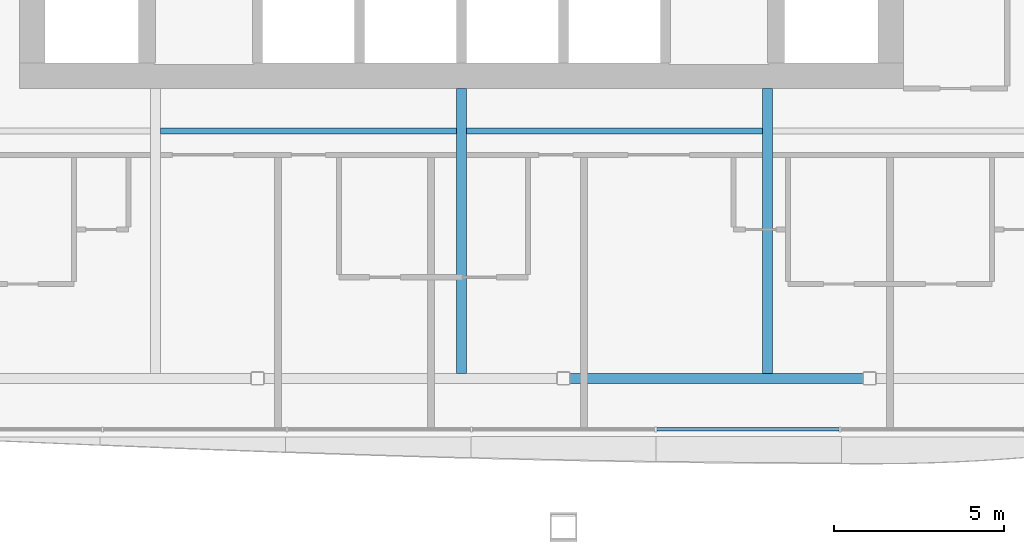
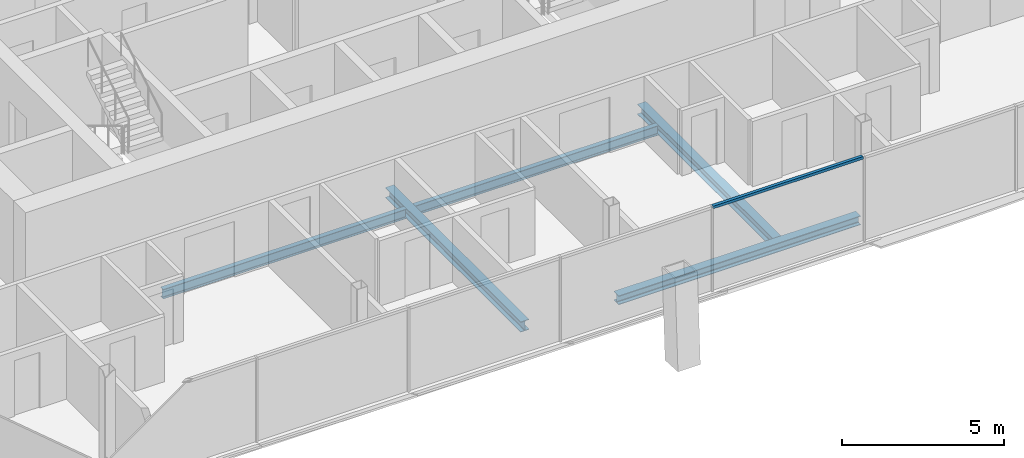
# One storey, part 4 of 18: 5 beams, 1 member, 1 element without a shape of its own.
"""IFC4 building model written with IfcOpenShell, lengths in metres."""

from ifc_helpers import new_model, si_unit, direction, frame, origin, origin_2d, place, context, subcontext, project, spatial, rectangle, i_section, extrude, material, material_profile, profile_set, type_object, element, aggregate, save


model = new_model("IFC4")

# Units and contexts
model_context = context("Model", 3, precision=1e-05, world=origin(), true_north=direction((0.0, 1.0)))
body_context = subcontext(model_context, "Body", "Model", "MODEL_VIEW")
ifc_project = project(units=[si_unit("LENGTHUNIT", "METRE"), si_unit("AREAUNIT", "SQUARE_METRE"), si_unit("VOLUMEUNIT", "CUBIC_METRE"), si_unit("PLANEANGLEUNIT", "RADIAN"), si_unit("MASSUNIT", "GRAM", prefix="KILO")], contexts=[model_context])

# Site, building, storey
site_placement = place(None, origin())
site = spatial("IfcSite", under=ifc_project, at=site_placement, CompositionType="ELEMENT")
building_placement = place(site_placement, origin())
building = spatial("IfcBuilding", under=site, at=building_placement, Name="Tskaro Facet Tower", CompositionType="ELEMENT")
storey_placement = place(building_placement, frame((0.0, 0.0, 145.300048828125)))
storey = spatial("IfcBuildingStorey", under=building, at=storey_placement, Name="L35", CompositionType="ELEMENT", Elevation=145.300048828125)

# Curtain wall, member
ifc_material_1 = material(Name="Bronze anodised aluminium 6063-T6", Category="aluminium")
curtain_wall_type = type_object("IfcCurtainWallType", Name="Bronze hotel curtain wall (FW2)", PredefinedType="NOTDEFINED", material=ifc_material_1)
curtain_wall_placement = place(storey_placement, origin())
curtain_wall = element("IfcCurtainWall", 1, at=curtain_wall_placement, inside=storey, type_object=curtain_wall_type, Name="FW2 south facet L35", PredefinedType="NOTDEFINED")
ifc_material_profile_1 = material_profile(ifc_material_1, rectangle(XDim=0.110107421875, YDim=0.10009765625, at=origin_2d()), Name="Transom 110x100")
ifc_profile_set_1 = profile_set([ifc_material_profile_1], Name="Bronze anodised aluminium 6063-T6")
member_type = type_object("IfcMemberType", Name="FW2 bronze transom 110x100", PredefinedType="USERDEFINED", material=ifc_profile_set_1)
member_placement = place(storey_placement, frame((5.741943359375, -22.27197265625, 3.14990234375), z_axis=(1.0, 0.0, 0.0), x_axis=(0.0, 1.0, 0.0)))
member = element("IfcMember", 2, at=member_placement, type_object=member_type, Name="FW2 south transom 5.1", ObjectType="TRANSOM", PredefinedType="USERDEFINED", context=body_context, shape_type="SweptSolid", body=[
    extrude(rectangle(XDim=0.110107421875, YDim=0.10009765625, at=origin_2d()), origin(), (0.0, 0.0, 1.0), 5.363525390625),
])
aggregate(curtain_wall, [member])

# Beams
ifc_material_2 = material(Name="Steel S355J2", Category="steel")
ifc_material_profile_2 = material_profile(ifc_material_2, i_section(OverallWidth=0.300048828125, OverallDepth=0.340087890625, WebThickness=0.011962890625, FlangeThickness=0.021484375, FilletRadius=0.027099609375, at=origin_2d()), Name="HE 340 B")
ifc_profile_set_2 = profile_set([ifc_material_profile_2], Name="Steel S355J2")
beam_type_1 = type_object("IfcBeamType", Name="HE 340 B ring beam", PredefinedType="BEAM", material=ifc_profile_set_2)
beam_placement = place(storey_placement, frame((3.179931640625, -20.77392578125, -0.31005859375), z_axis=(1.0, 0.0, 0.0), x_axis=(0.0, 1.0, 0.0)))
element("IfcBeam", 3, at=beam_placement, inside=storey, type_object=beam_type_1, Name="HE 340 B EB3-3", PredefinedType="BEAM", context=body_context, shape_type="SweptSolid", body=[
    extrude(i_section(OverallWidth=0.300048828125, OverallDepth=0.340087890625, WebThickness=0.011962890625, FlangeThickness=0.021484375, FilletRadius=0.027099609375, at=origin_2d()), origin(), (0.0, 0.0, 1.0), 8.64013671875),
])
ifc_material_profile_3 = material_profile(ifc_material_2, i_section(OverallWidth=0.300048828125, OverallDepth=0.389892578125, WebThickness=0.010986328125, FlangeThickness=0.01904296875, FilletRadius=0.027099609375, at=origin_2d()), Name="HE 400 A")
ifc_profile_set_3 = profile_set([ifc_material_profile_3], Name="Steel S355J2")
beam_type_2 = type_object("IfcBeamType", Name="HE 400 A girder", PredefinedType="BEAM", material=ifc_profile_set_3)
for number, where, z_axis, x_axis, name in (
    (4, (0.0, -20.6240234375, -0.3349609375), (0.0, 1.0, 0.0), (-1.0, 0.0, 0.0), "HE 400 A GB4-1-3"),
    (5, (9.0, -20.6240234375, -0.3349609375), (0.0, 1.0, 0.0), (-1.0, 0.0, 0.0), "HE 400 A GB5-1-3"),
):
    element("IfcBeam", number, at=place(storey_placement, frame(where, z_axis=z_axis, x_axis=x_axis)), inside=storey, type_object=beam_type_2, Name=name, PredefinedType="BEAM", context=body_context, shape_type="SweptSolid", body=[
        extrude(i_section(OverallWidth=0.300048828125, OverallDepth=0.389892578125, WebThickness=0.010986328125, FlangeThickness=0.01904296875, FilletRadius=0.027099609375, at=origin_2d()), origin(), (0.0, 0.0, 1.0), 8.3740234375),
    ])
ifc_material_profile_4 = material_profile(ifc_material_2, i_section(OverallWidth=0.169921875, OverallDepth=0.360107421875, WebThickness=0.008056640625, FlangeThickness=0.0126953125, FilletRadius=0.01806640625, at=origin_2d()), Name="IPE 360")
ifc_profile_set_4 = profile_set([ifc_material_profile_4], Name="Steel S355J2")
beam_type_3 = type_object("IfcBeamType", Name="IPE 360 secondary beam", PredefinedType="BEAM", material=ifc_profile_set_4)
for number, where, z_axis, x_axis, name in (
    (6, (-8.85009765625, -13.5, -0.320068359375), (1.0, 0.0, 0.0), (0.0, 1.0, 0.0), "IPE 360 SB2a-2-3"),
    (7, (0.14990234375, -13.5, -0.320068359375), (1.0, 0.0, 0.0), (0.0, 1.0, 0.0), "IPE 360 SB2a-3-3"),
):
    element("IfcBeam", number, at=place(storey_placement, frame(where, z_axis=z_axis, x_axis=x_axis)), inside=storey, type_object=beam_type_3, Name=name, PredefinedType="BEAM", context=body_context, shape_type="SweptSolid", body=[
        extrude(i_section(OverallWidth=0.169921875, OverallDepth=0.360107421875, WebThickness=0.008056640625, FlangeThickness=0.0126953125, FilletRadius=0.01806640625, at=origin_2d()), origin(), (0.0, 0.0, 1.0), 8.7001953125),
    ])

save(model, "model.ifc")
